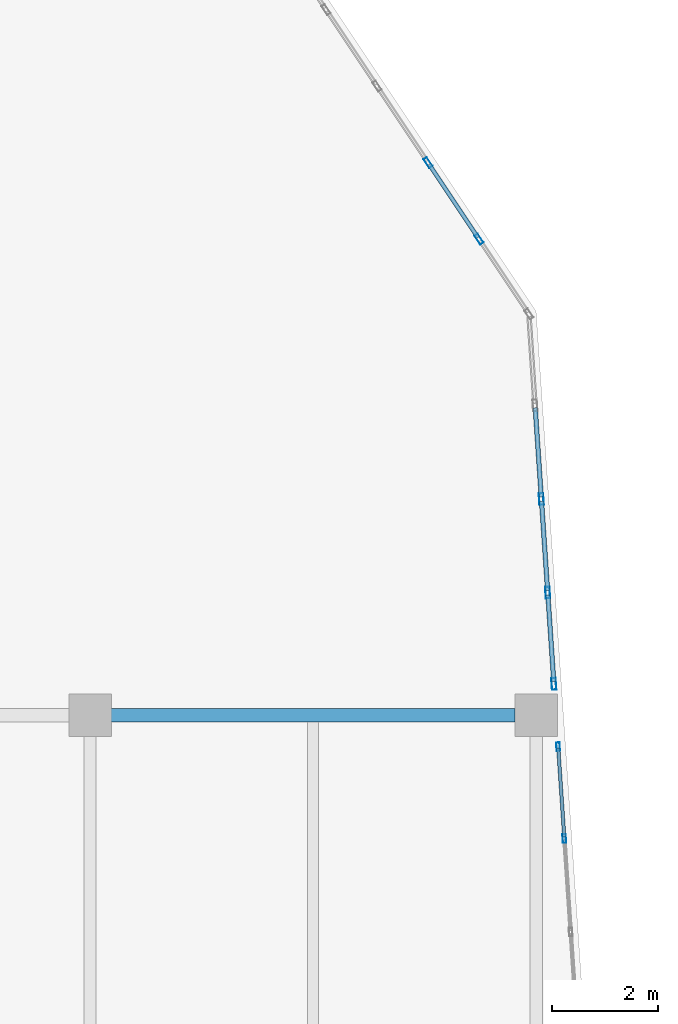
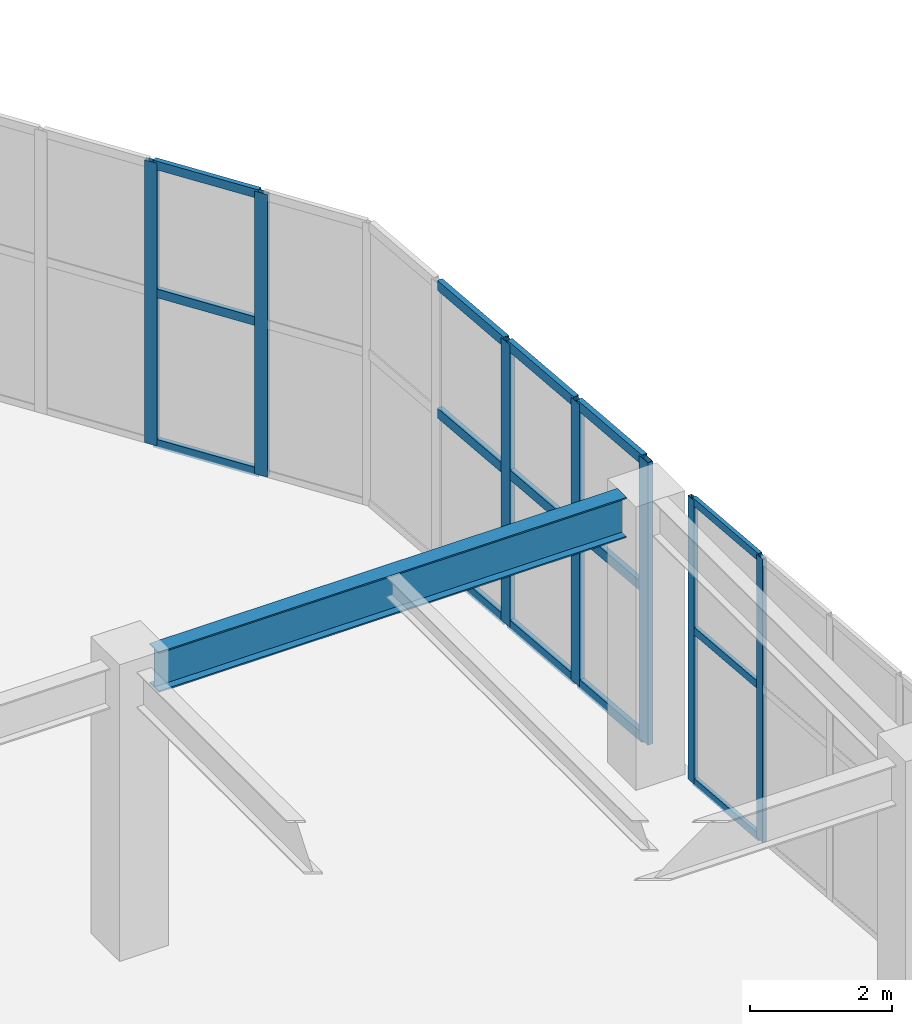
# One storey, part 56 of 128: 22 members, 1 beam, 3 elements without a shape of their own.
"""IFC4 building model written with IfcOpenShell, lengths in metres."""

from ifc_helpers import new_model, si_unit, direction, frame, origin, origin_2d, place, context, subcontext, project, spatial, hollow_rectangle, i_section, extrude, material, layer, layer_set, material_profile, profile_set, type_object, element, aggregate, save


model = new_model("IFC4")

# Units and contexts
model_context = context("Model", 3, precision=1e-05, world=origin(), true_north=direction((0.0, 1.0)))
body_context = subcontext(model_context, "Body", "Model", "MODEL_VIEW")
ifc_project = project(units=[si_unit("LENGTHUNIT", "METRE"), si_unit("AREAUNIT", "SQUARE_METRE"), si_unit("VOLUMEUNIT", "CUBIC_METRE"), si_unit("PLANEANGLEUNIT", "RADIAN"), si_unit("MASSUNIT", "GRAM", prefix="KILO")], contexts=[model_context])

# Site, building, storey
site_placement = place(None, origin())
site = spatial("IfcSite", under=ifc_project, at=site_placement, CompositionType="ELEMENT")
building_placement = place(site_placement, origin())
building = spatial("IfcBuilding", under=site, at=building_placement, Name="Xicomal Pleat Aquarium", CompositionType="ELEMENT")
storey_placement = place(building_placement, frame((0.0, 0.0, 5.39990234375)))
storey = spatial("IfcBuildingStorey", under=building, at=storey_placement, Name="L02", CompositionType="ELEMENT", Elevation=5.39990234375)

# Beam
ifc_material_1 = material(Name="Structural steel A992 Gr 50", Category="steel")
ifc_material_profile_1 = material_profile(ifc_material_1, i_section(OverallWidth=0.256103515625, OverallDepth=0.693115234375, WebThickness=0.014404296875, FlangeThickness=0.023681640625, at=origin_2d()), Name="IR 690x170")
ifc_profile_set_1 = profile_set([ifc_material_profile_1], Name="Structural steel A992 Gr 50")
beam_type = type_object("IfcBeamType", Name="BM-STL-IR690", PredefinedType="BEAM", material=ifc_profile_set_1)
beam_placement = place(storey_placement, frame((18.9951171875, 83.60009765625, 4.528564453125), z_axis=(1.0, 0.0, 0.0), x_axis=(0.0, 1.0, 0.0)))
element("IfcBeam", 1, at=beam_placement, inside=storey, type_object=beam_type, Name="L02 framing beam FGX-L02-03-04-M", PredefinedType="BEAM", context=body_context, shape_type="SweptSolid", body=[
    extrude(i_section(OverallWidth=0.256103515625, OverallDepth=0.693115234375, WebThickness=0.014404296875, FlangeThickness=0.023681640625, at=origin_2d()), origin(), (0.0, 0.0, 1.0), 7.60986328125),
])

# Curtain wall, members
ifc_material_2 = material(Name="Bronze anodized aluminium 6063-T6", Category="aluminium")
ifc_layer_1 = layer(ifc_material_2, 0.159912109375)
ifc_layer_set_1 = layer_set([ifc_layer_1], Name="Bronze anodized aluminium 6063-T6")
curtain_wall_type_1 = type_object("IfcCurtainWallType", Name="CW-SYS-02", PredefinedType="NOTDEFINED", material=ifc_layer_set_1)
curtain_wall_1_placement = place(storey_placement, origin())
curtain_wall_1 = element("IfcCurtainWall", 2, at=curtain_wall_1_placement, inside=storey, type_object=curtain_wall_type_1, Name="L02 unitised curtain wall CW-L02-132", PredefinedType="NOTDEFINED")
ifc_material_3 = material(Name="Bronze anodized aluminium 6063-T6", Category="aluminium")
ifc_material_profile_2 = material_profile(ifc_material_3, hollow_rectangle(XDim=0.06494140625, YDim=0.159912109375, WallThickness=0.00390625, at=origin_2d()), Name="ALU MULL 65x160")
ifc_profile_set_2 = profile_set([ifc_material_profile_2], Name="Bronze anodized aluminium 6063-T6")
member_type_1 = type_object("IfcMemberType", Name="CWM-65x160", PredefinedType="MULLION", material=ifc_profile_set_2)
member_1_placement = place(storey_placement, frame((27.414306640625, 83.004638671875, 0.0), z_axis=(0.0, 0.0, 1.0), x_axis=(0.997716337991, 0.067543385353, 0.0)))
member_1 = element("IfcMember", 3, at=member_1_placement, type_object=member_type_1, Name="CW-02 mullion 1", PredefinedType="MULLION", context=body_context, shape_type="SweptSolid", body=[
    extrude(hollow_rectangle(XDim=0.06494140625, YDim=0.159912109375, WallThickness=0.00390625, at=origin_2d()), origin(), (0.0, 0.0, 1.0), 4.875),
])
member_2_placement = place(storey_placement, frame((27.53125, 81.275390625, 0.0), z_axis=(0.0, 0.0, 1.0), x_axis=(0.997716337991, 0.067543385353, 0.0)))
member_2 = element("IfcMember", 4, at=member_2_placement, type_object=member_type_1, Name="CW-02 mullion 2", PredefinedType="MULLION", context=body_context, shape_type="SweptSolid", body=[
    extrude(hollow_rectangle(XDim=0.06494140625, YDim=0.159912109375, WallThickness=0.00390625, at=origin_2d()), origin(), (0.0, 0.0, 1.0), 4.875),
])

ifc_material_4 = material(Name="Bronze anodized aluminium 6063-T6", Category="aluminium")
ifc_layer_2 = layer(ifc_material_4, 0.159912109375)
ifc_layer_set_2 = layer_set([ifc_layer_2], Name="Bronze anodized aluminium 6063-T6")
curtain_wall_type_2 = type_object("IfcCurtainWallType", Name="CW-SYS-07", PredefinedType="NOTDEFINED", material=ifc_layer_set_2)
curtain_wall_2_placement = place(storey_placement, origin())
curtain_wall_2 = element("IfcCurtainWall", 5, at=curtain_wall_2_placement, inside=storey, type_object=curtain_wall_type_2, Name="L02 unitised curtain wall CW-L02-130", PredefinedType="NOTDEFINED")
ifc_material_5 = material(Name="Bronze anodized aluminium 6063-T6", Category="aluminium")
ifc_material_profile_3 = material_profile(ifc_material_5, hollow_rectangle(XDim=0.074951171875, YDim=0.199951171875, WallThickness=0.00439453125, at=origin_2d()), Name="ALU MULL 75x200")
ifc_profile_set_3 = profile_set([ifc_material_profile_3], Name="Bronze anodized aluminium 6063-T6")
member_type_2 = type_object("IfcMemberType", Name="CWM-75x200", PredefinedType="MULLION", material=ifc_profile_set_3)
member_3_placement = place(storey_placement, frame((24.964111328125, 94.001953125, 0.0), z_axis=(0.0, 0.0, 1.0), x_axis=(0.832050294338, 0.554700196226, 0.0)))
member_3 = element("IfcMember", 6, at=member_3_placement, type_object=member_type_2, Name="CW-07 mullion 4", PredefinedType="MULLION", context=body_context, shape_type="SweptSolid", body=[
    extrude(hollow_rectangle(XDim=0.074951171875, YDim=0.199951171875, WallThickness=0.00439453125, at=origin_2d()), origin(), (0.0, 0.0, 1.0), 4.860107421875),
])
member_4_placement = place(storey_placement, frame((25.924072265625, 92.56201171875, 0.0), z_axis=(0.0, 0.0, 1.0), x_axis=(0.832050294338, 0.554700196226, 0.0)))
member_4 = element("IfcMember", 7, at=member_4_placement, type_object=member_type_2, Name="CW-07 mullion 5", PredefinedType="MULLION", context=body_context, shape_type="SweptSolid", body=[
    extrude(hollow_rectangle(XDim=0.074951171875, YDim=0.199951171875, WallThickness=0.00439453125, at=origin_2d()), origin(), (0.0, 0.0, 1.0), 4.860107421875),
])

ifc_material_6 = material(Name="Bronze anodized aluminium 6063-T6", Category="aluminium")
ifc_layer_3 = layer(ifc_material_6, 0.159912109375)
ifc_layer_set_3 = layer_set([ifc_layer_3], Name="Bronze anodized aluminium 6063-T6")
curtain_wall_type_3 = type_object("IfcCurtainWallType", Name="CW-SYS-12", PredefinedType="NOTDEFINED", material=ifc_layer_set_3)
curtain_wall_3_placement = place(storey_placement, origin())
curtain_wall_3 = element("IfcCurtainWall", 8, at=curtain_wall_3_placement, inside=storey, type_object=curtain_wall_type_3, Name="L02 unitised curtain wall CW-L02-131", PredefinedType="NOTDEFINED")
ifc_material_7 = material(Name="Bronze anodized aluminium 6063-T6", Category="aluminium")
ifc_material_profile_4 = material_profile(ifc_material_7, hollow_rectangle(XDim=0.0849609375, YDim=0.219970703125, WallThickness=0.0048828125, at=origin_2d()), Name="ALU MULL 85x220")
ifc_profile_set_4 = profile_set([ifc_material_profile_4], Name="Bronze anodized aluminium 6063-T6")
member_type_3 = type_object("IfcMemberType", Name="CWM-85x220", PredefinedType="MULLION", material=ifc_profile_set_4)
member_5_placement = place(storey_placement, frame((27.098388671875, 87.66748046875, 0.0), z_axis=(0.0, 0.0, 1.0), x_axis=(0.997716983851, 0.067533844372, 0.0)))
member_5 = element("IfcMember", 9, at=member_5_placement, type_object=member_type_3, Name="CW-12 mullion 3", PredefinedType="MULLION", context=body_context, shape_type="SweptSolid", body=[
    extrude(hollow_rectangle(XDim=0.0849609375, YDim=0.219970703125, WallThickness=0.0048828125, at=origin_2d()), origin(), (0.0, 0.0, 1.0), 4.860107421875),
])
member_6_placement = place(storey_placement, frame((27.2177734375, 85.90576171875, 0.0), z_axis=(0.0, 0.0, 1.0), x_axis=(0.997716983851, 0.067533844372, 0.0)))
member_6 = element("IfcMember", 10, at=member_6_placement, type_object=member_type_3, Name="CW-12 mullion 4", PredefinedType="MULLION", context=body_context, shape_type="SweptSolid", body=[
    extrude(hollow_rectangle(XDim=0.0849609375, YDim=0.219970703125, WallThickness=0.0048828125, at=origin_2d()), origin(), (0.0, 0.0, 1.0), 4.860107421875),
])
member_7_placement = place(storey_placement, frame((27.333984375, 84.186279296875, 0.0), z_axis=(0.0, 0.0, 1.0), x_axis=(0.997716983851, 0.067533844372, 0.0)))
member_7 = element("IfcMember", 11, at=member_7_placement, type_object=member_type_3, Name="CW-12 mullion 5", PredefinedType="MULLION", context=body_context, shape_type="SweptSolid", body=[
    extrude(hollow_rectangle(XDim=0.0849609375, YDim=0.219970703125, WallThickness=0.0048828125, at=origin_2d()), origin(), (0.0, 0.0, 1.0), 4.860107421875),
])

# Member
ifc_material_8 = material(Name="Bronze anodized aluminium 6063-T6", Category="aluminium")
ifc_material_profile_5 = material_profile(ifc_material_8, hollow_rectangle(XDim=0.06494140625, YDim=0.1298828125, WallThickness=0.00390625, at=origin_2d()), Name="ALU TRAN 65x130")
ifc_profile_set_5 = profile_set([ifc_material_profile_5], Name="Bronze anodized aluminium 6063-T6")
member_type_4 = type_object("IfcMemberType", Name="CWT-65x130", PredefinedType="USERDEFINED", material=ifc_profile_set_5)
member_8_placement = place(storey_placement, frame((27.41650390625, 82.97216796875, 0.03271484375), z_axis=(0.06747095366, -0.99772123883, 0.0), x_axis=(0.99772123883, 0.06747095366, 0.0)))
member_8 = element("IfcMember", 12, at=member_8_placement, type_object=member_type_4, Name="CW-02 transom 1.1", ObjectType="TRANSOM", PredefinedType="USERDEFINED", context=body_context, shape_type="SweptSolid", body=[
    extrude(hollow_rectangle(XDim=0.06494140625, YDim=0.1298828125, WallThickness=0.00390625, at=origin_2d()), origin(), (0.0, 0.0, 1.0), 1.668212890625),
])

member_9_placement = place(storey_placement, frame((27.41650390625, 82.97216796875, 2.633056640625), z_axis=(0.06747095366, -0.99772123883, 0.0), x_axis=(0.99772123883, 0.06747095366, 0.0)))
member_9 = element("IfcMember", 13, at=member_9_placement, type_object=member_type_4, Name="CW-02 transom 1.2", ObjectType="TRANSOM", PredefinedType="USERDEFINED", context=body_context, shape_type="SweptSolid", body=[
    extrude(hollow_rectangle(XDim=0.06494140625, YDim=0.1298828125, WallThickness=0.00390625, at=origin_2d()), origin(), (0.0, 0.0, 1.0), 1.668212890625),
])

member_10_placement = place(storey_placement, frame((27.41650390625, 82.97216796875, 4.842529296875), z_axis=(0.06747095366, -0.99772123883, 0.0), x_axis=(0.99772123883, 0.06747095366, 0.0)))
member_10 = element("IfcMember", 14, at=member_10_placement, type_object=member_type_4, Name="CW-02 transom 1.3", ObjectType="TRANSOM", PredefinedType="USERDEFINED", context=body_context, shape_type="SweptSolid", body=[
    extrude(hollow_rectangle(XDim=0.06494140625, YDim=0.1298828125, WallThickness=0.00390625, at=origin_2d()), origin(), (0.0, 0.0, 1.0), 1.668212890625),
])

aggregate(curtain_wall_1, [member_1, member_2, member_8, member_9, member_10])

ifc_material_9 = material(Name="Bronze anodized aluminium 6063-T6", Category="aluminium")
ifc_material_profile_6 = material_profile(ifc_material_9, hollow_rectangle(XDim=0.074951171875, YDim=0.14990234375, WallThickness=0.00439453125, at=origin_2d()), Name="ALU TRAN 75x150")
ifc_profile_set_6 = profile_set([ifc_material_profile_6], Name="Bronze anodized aluminium 6063-T6")
member_type_5 = type_object("IfcMemberType", Name="CWT-75x150", PredefinedType="USERDEFINED", material=ifc_profile_set_6)
member_11_placement = place(storey_placement, frame((24.98486328125, 93.970703125, 0.03759765625), z_axis=(0.554768255743, -0.832004917305, 0.0), x_axis=(0.832004917305, 0.554768255743, 0.0)))
member_11 = element("IfcMember", 15, at=member_11_placement, type_object=member_type_5, Name="CW-07 transom 4.1", ObjectType="TRANSOM", PredefinedType="USERDEFINED", context=body_context, shape_type="SweptSolid", body=[
    extrude(hollow_rectangle(XDim=0.074951171875, YDim=0.14990234375, WallThickness=0.00439453125, at=origin_2d()), origin(), (0.0, 0.0, 1.0), 1.655517578125),
])

member_12_placement = place(storey_placement, frame((24.98486328125, 93.970703125, 2.6240234375), z_axis=(0.554768255743, -0.832004917305, 0.0), x_axis=(0.832004917305, 0.554768255743, 0.0)))
member_12 = element("IfcMember", 16, at=member_12_placement, type_object=member_type_5, Name="CW-07 transom 4.2", ObjectType="TRANSOM", PredefinedType="USERDEFINED", context=body_context, shape_type="SweptSolid", body=[
    extrude(hollow_rectangle(XDim=0.074951171875, YDim=0.14990234375, WallThickness=0.00439453125, at=origin_2d()), origin(), (0.0, 0.0, 1.0), 1.655517578125),
])

member_13_placement = place(storey_placement, frame((24.98486328125, 93.970703125, 4.822509765625), z_axis=(0.554768255743, -0.832004917305, 0.0), x_axis=(0.832004917305, 0.554768255743, 0.0)))
member_13 = element("IfcMember", 17, at=member_13_placement, type_object=member_type_5, Name="CW-07 transom 4.3", ObjectType="TRANSOM", PredefinedType="USERDEFINED", context=body_context, shape_type="SweptSolid", body=[
    extrude(hollow_rectangle(XDim=0.074951171875, YDim=0.14990234375, WallThickness=0.00439453125, at=origin_2d()), origin(), (0.0, 0.0, 1.0), 1.655517578125),
])

aggregate(curtain_wall_2, [member_3, member_4, member_11, member_12, member_13])

ifc_material_10 = material(Name="Bronze anodized aluminium 6063-T6", Category="aluminium")
ifc_material_profile_7 = material_profile(ifc_material_10, hollow_rectangle(XDim=0.0849609375, YDim=0.169921875, WallThickness=0.0048828125, at=origin_2d()), Name="ALU TRAN 85x170")
ifc_profile_set_7 = profile_set([ifc_material_profile_7], Name="Bronze anodized aluminium 6063-T6")
member_type_6 = type_object("IfcMemberType", Name="CWT-85x170", PredefinedType="USERDEFINED", material=ifc_profile_set_7)
member_14_placement = place(storey_placement, frame((26.982177734375, 89.38671875, 0.04248046875), z_axis=(0.067550650618, -0.997715846121, 0.0), x_axis=(0.997715846121, 0.067550650618, 0.0)))
member_14 = element("IfcMember", 18, at=member_14_placement, type_object=member_type_6, Name="CW-12 transom 2.1", ObjectType="TRANSOM", PredefinedType="USERDEFINED", context=body_context, shape_type="SweptSolid", body=[
    extrude(hollow_rectangle(XDim=0.0849609375, YDim=0.169921875, WallThickness=0.0048828125, at=origin_2d()), origin(), (0.0, 0.0, 1.0), 1.6806640625),
])

member_15_placement = place(storey_placement, frame((26.982177734375, 89.38671875, 2.6240234375), z_axis=(0.067550650618, -0.997715846121, 0.0), x_axis=(0.997715846121, 0.067550650618, 0.0)))
member_15 = element("IfcMember", 19, at=member_15_placement, type_object=member_type_6, Name="CW-12 transom 2.2", ObjectType="TRANSOM", PredefinedType="USERDEFINED", context=body_context, shape_type="SweptSolid", body=[
    extrude(hollow_rectangle(XDim=0.0849609375, YDim=0.169921875, WallThickness=0.0048828125, at=origin_2d()), origin(), (0.0, 0.0, 1.0), 1.6806640625),
])

member_16_placement = place(storey_placement, frame((26.982177734375, 89.38671875, 4.817626953125), z_axis=(0.067550650618, -0.997715846121, 0.0), x_axis=(0.997715846121, 0.067550650618, 0.0)))
member_16 = element("IfcMember", 20, at=member_16_placement, type_object=member_type_6, Name="CW-12 transom 2.3", ObjectType="TRANSOM", PredefinedType="USERDEFINED", context=body_context, shape_type="SweptSolid", body=[
    extrude(hollow_rectangle(XDim=0.0849609375, YDim=0.169921875, WallThickness=0.0048828125, at=origin_2d()), origin(), (0.0, 0.0, 1.0), 1.6806640625),
])

member_17_placement = place(storey_placement, frame((27.101318359375, 87.625, 0.04248046875), z_axis=(0.067550650618, -0.997715846121, 0.0), x_axis=(0.997715846121, 0.067550650618, 0.0)))
member_17 = element("IfcMember", 21, at=member_17_placement, type_object=member_type_6, Name="CW-12 transom 3.1", ObjectType="TRANSOM", PredefinedType="USERDEFINED", context=body_context, shape_type="SweptSolid", body=[
    extrude(hollow_rectangle(XDim=0.0849609375, YDim=0.169921875, WallThickness=0.0048828125, at=origin_2d()), origin(), (0.0, 0.0, 1.0), 1.6806640625),
])

member_18_placement = place(storey_placement, frame((27.101318359375, 87.625, 2.6240234375), z_axis=(0.067550650618, -0.997715846121, 0.0), x_axis=(0.997715846121, 0.067550650618, 0.0)))
member_18 = element("IfcMember", 22, at=member_18_placement, type_object=member_type_6, Name="CW-12 transom 3.2", ObjectType="TRANSOM", PredefinedType="USERDEFINED", context=body_context, shape_type="SweptSolid", body=[
    extrude(hollow_rectangle(XDim=0.0849609375, YDim=0.169921875, WallThickness=0.0048828125, at=origin_2d()), origin(), (0.0, 0.0, 1.0), 1.6806640625),
])

member_19_placement = place(storey_placement, frame((27.101318359375, 87.625, 4.817626953125), z_axis=(0.067550650618, -0.997715846121, 0.0), x_axis=(0.997715846121, 0.067550650618, 0.0)))
member_19 = element("IfcMember", 23, at=member_19_placement, type_object=member_type_6, Name="CW-12 transom 3.3", ObjectType="TRANSOM", PredefinedType="USERDEFINED", context=body_context, shape_type="SweptSolid", body=[
    extrude(hollow_rectangle(XDim=0.0849609375, YDim=0.169921875, WallThickness=0.0048828125, at=origin_2d()), origin(), (0.0, 0.0, 1.0), 1.6806640625),
])

member_20_placement = place(storey_placement, frame((27.220703125, 85.86328125, 0.04248046875), z_axis=(0.067508078207, -0.997718727586, 0.0), x_axis=(0.997718727586, 0.067508078207, 0.0)))
member_20 = element("IfcMember", 24, at=member_20_placement, type_object=member_type_6, Name="CW-12 transom 4.1", ObjectType="TRANSOM", PredefinedType="USERDEFINED", context=body_context, shape_type="SweptSolid", body=[
    extrude(hollow_rectangle(XDim=0.0849609375, YDim=0.169921875, WallThickness=0.0048828125, at=origin_2d()), origin(), (0.0, 0.0, 1.0), 1.63818359375),
])

member_21_placement = place(storey_placement, frame((27.220703125, 85.86328125, 2.6240234375), z_axis=(0.067508078207, -0.997718727586, 0.0), x_axis=(0.997718727586, 0.067508078207, 0.0)))
member_21 = element("IfcMember", 25, at=member_21_placement, type_object=member_type_6, Name="CW-12 transom 4.2", ObjectType="TRANSOM", PredefinedType="USERDEFINED", context=body_context, shape_type="SweptSolid", body=[
    extrude(hollow_rectangle(XDim=0.0849609375, YDim=0.169921875, WallThickness=0.0048828125, at=origin_2d()), origin(), (0.0, 0.0, 1.0), 1.63818359375),
])

member_22_placement = place(storey_placement, frame((27.220703125, 85.86328125, 4.817626953125), z_axis=(0.067508078207, -0.997718727586, 0.0), x_axis=(0.997718727586, 0.067508078207, 0.0)))
member_22 = element("IfcMember", 26, at=member_22_placement, type_object=member_type_6, Name="CW-12 transom 4.3", ObjectType="TRANSOM", PredefinedType="USERDEFINED", context=body_context, shape_type="SweptSolid", body=[
    extrude(hollow_rectangle(XDim=0.0849609375, YDim=0.169921875, WallThickness=0.0048828125, at=origin_2d()), origin(), (0.0, 0.0, 1.0), 1.63818359375),
])

aggregate(curtain_wall_3, [member_5, member_6, member_7, member_14, member_15, member_16, member_17, member_18, member_19, member_20, member_21, member_22])

save(model, "model.ifc")
